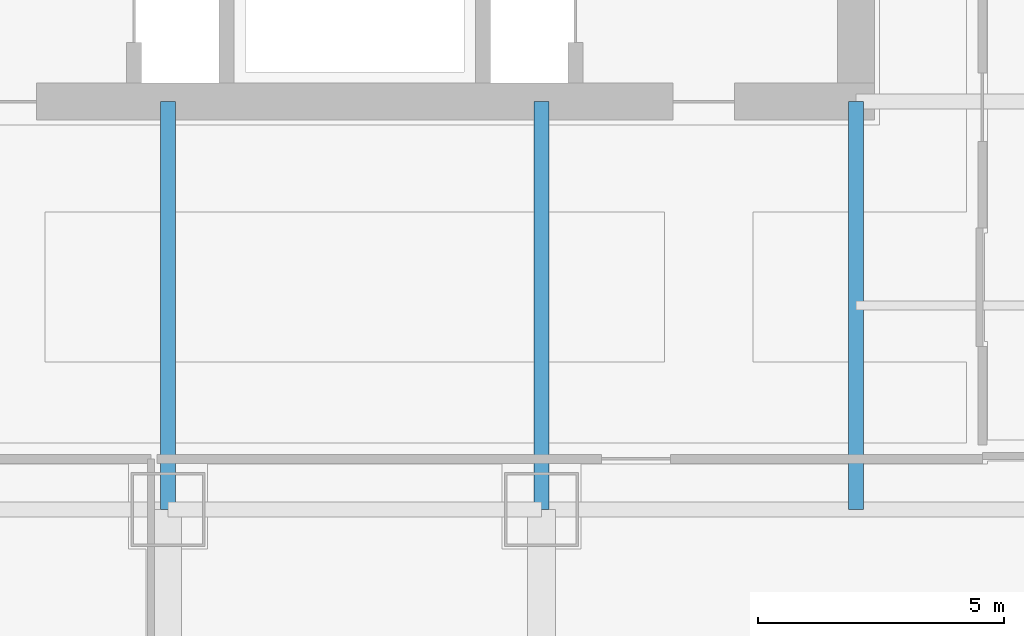
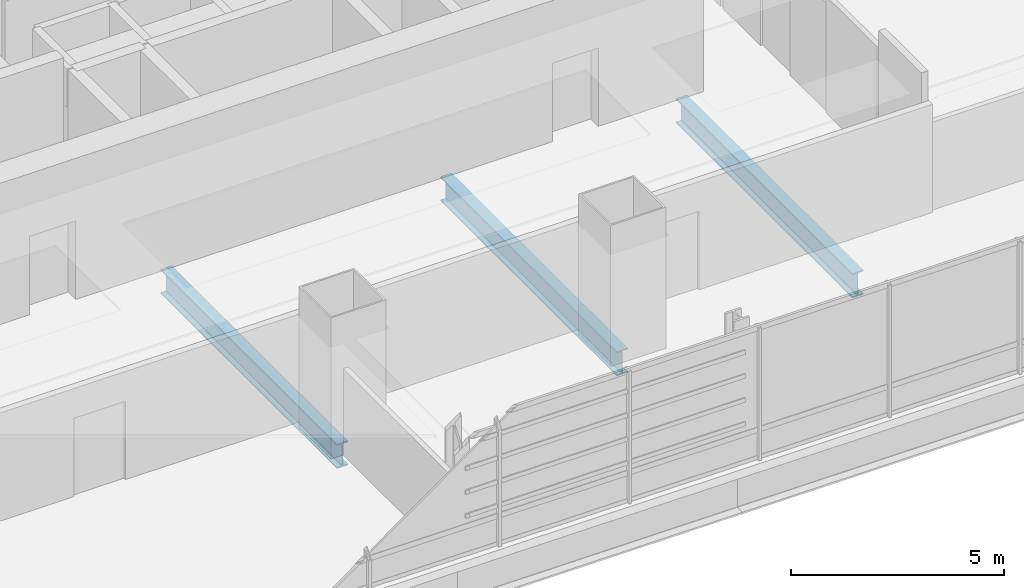
# One storey, part 7 of 35: 3 beams.
"""IFC4 building model written with IfcOpenShell, lengths in metres."""

from ifc_helpers import new_model, si_unit, direction, frame, origin, origin_2d, place, context, subcontext, project, spatial, i_section, extrude, material, material_profile, profile_set, type_object, element, save


model = new_model("IFC4")

# Units and contexts
model_context = context("Model", 3, precision=1e-05, world=origin(), true_north=direction((0.0, 1.0)))
body_context = subcontext(model_context, "Body", "Model", "MODEL_VIEW")
ifc_project = project(units=[si_unit("LENGTHUNIT", "METRE"), si_unit("AREAUNIT", "SQUARE_METRE"), si_unit("VOLUMEUNIT", "CUBIC_METRE"), si_unit("PLANEANGLEUNIT", "RADIAN"), si_unit("MASSUNIT", "GRAM", prefix="KILO")], contexts=[model_context])

# Site, building, storey
site_placement = place(None, origin())
site = spatial("IfcSite", under=ifc_project, at=site_placement, CompositionType="ELEMENT")
building_placement = place(site_placement, origin())
building = spatial("IfcBuilding", under=site, at=building_placement, Name="Punatoya Terracotta Tower", CompositionType="ELEMENT")
storey_placement = place(building_placement, frame((0.0, 0.0, 68.699951171875)))
storey = spatial("IfcBuildingStorey", under=building, at=storey_placement, Name="L15", CompositionType="ELEMENT", Elevation=68.699951171875)

# Beams
ifc_material = material(Name="Steel S355", Category="steel")
ifc_material_profile = material_profile(ifc_material, i_section(OverallWidth=0.300048828125, OverallDepth=0.699951171875, WebThickness=0.01708984375, FlangeThickness=0.031982421875, FilletRadius=0.01806640625, at=origin_2d()))
ifc_profile_set = profile_set([ifc_material_profile], Name="Steel S355")
beam_type = type_object("IfcBeamType", Name="BM-PRI-700", PredefinedType="BEAM", material=ifc_profile_set)
for number, where, z_axis, x_axis, name in (
    (1, (-3.800048828125, -17.5, -0.58984375), (0.0, 1.0, 0.0), (-1.0, 0.0, 0.0), "BM-L15-PR-S2"),
    (2, (3.800048828125, -17.5, -0.58984375), (0.0, 1.0, 0.0), (-1.0, 0.0, 0.0), "BM-L15-PR-S3"),
    (3, (10.199951171875, -17.5, -0.58984375), (0.0, 1.0, 0.0), (-1.0, 0.0, 0.0), "BM-L15-PR-S4"),
):
    element("IfcBeam", number, at=place(storey_placement, frame(where, z_axis=z_axis, x_axis=x_axis)), inside=storey, type_object=beam_type, Name=name, PredefinedType="BEAM", context=body_context, shape_type="SweptSolid", body=[
        extrude(i_section(OverallWidth=0.300048828125, OverallDepth=0.699951171875, WebThickness=0.01708984375, FlangeThickness=0.031982421875, FilletRadius=0.01806640625, at=origin_2d()), origin(), (0.0, 0.0, 1.0), 8.300048828125),
    ])

save(model, "model.ifc")
